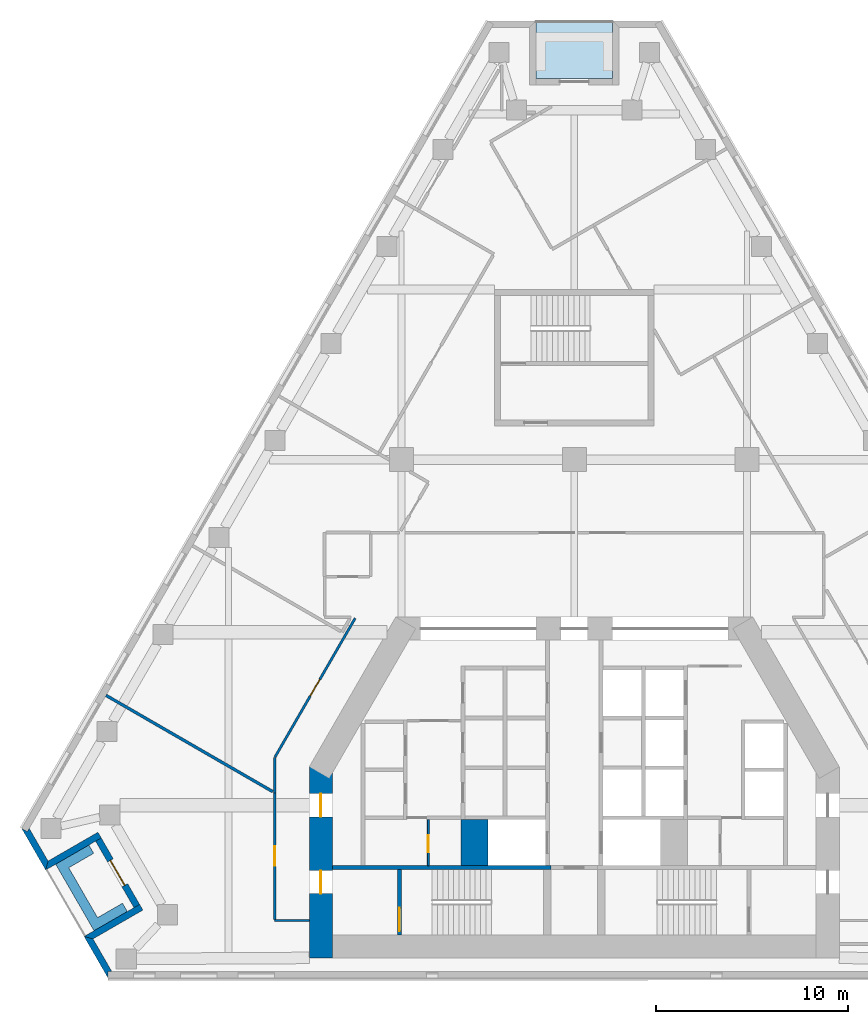
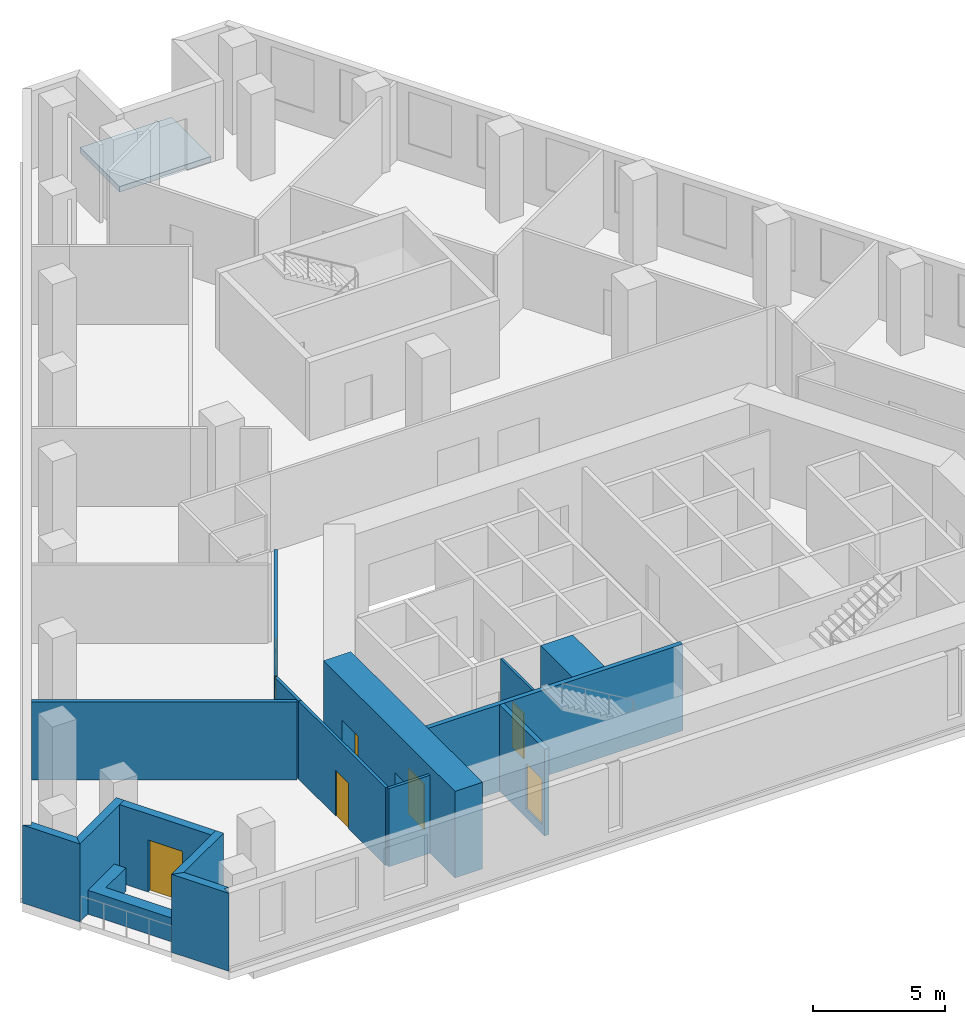
# One storey, part 2 of 8: 16 walls, 7 doors, 1 slab, 7 openings.
"""IFC4 building model written with IfcOpenShell, lengths in metres."""

from ifc_helpers import new_model, si_unit, direction, frame, frame_2d, origin, place, context, subcontext, project, spatial, polyline, rectangle, outline, extrude, material, layer, layer_set, type_object, element, fill, save


model = new_model("IFC4")

# Units and contexts
model_context = context("Model", 3, precision=1e-05, world=origin(), true_north=direction((0.0, 1.0)))
body_context = subcontext(model_context, "Body", "Model", "MODEL_VIEW")
ifc_project = project(units=[si_unit("LENGTHUNIT", "METRE"), si_unit("AREAUNIT", "SQUARE_METRE"), si_unit("VOLUMEUNIT", "CUBIC_METRE"), si_unit("PLANEANGLEUNIT", "RADIAN"), si_unit("MASSUNIT", "GRAM", prefix="KILO")], contexts=[model_context])

# Site, building, storey
site_placement = place(None, origin())
site = spatial("IfcSite", under=ifc_project, at=site_placement, CompositionType="ELEMENT")
building_placement = place(site_placement, origin())
building = spatial("IfcBuilding", under=site, at=building_placement, Name="Fogline Exchange Tower", CompositionType="ELEMENT")
storey_placement = place(building_placement, frame((0.0, 0.0, 154.89990234375)))
storey = spatial("IfcBuildingStorey", under=building, at=storey_placement, Name="L34", CompositionType="ELEMENT", Elevation=154.89990234375)

# Slab
ifc_material_1 = material(Name="Concrete C40", Category="concrete")
ifc_layer_1 = layer(ifc_material_1, 0.25)
ifc_layer_set_1 = layer_set([ifc_layer_1], Name="DK1")
slab_type = type_object("IfcSlabType", Name="DK1", PredefinedType="FLOOR", material=ifc_layer_set_1)
slab_placement = place(storey_placement, frame((0.0, 0.0, -0.25)))
element("IfcSlab", 1, at=slab_placement, inside=storey, type_object=slab_type, Name="Balcony L34 N", PredefinedType="FLOOR", context=body_context, shape_type="SweptSolid", body=[
    extrude(outline(polyline([(2.0, 49.841796875), (-2.0, 49.841796875), (-2.0, 46.841796875), (2.0, 46.841796875), (2.0, 49.841796875)])), origin(), (0.0, 0.0, 1.0), 0.25),
])

# Wall, opening, door
ifc_material_2 = material(Name="Blockwork partition", Category="masonry")
ifc_layer_2 = layer(ifc_material_2, 0.10009765625)
ifc_layer_set_2 = layer_set([ifc_layer_2], Name="CW10")
wall_type_1 = type_object("IfcWallType", Name="CW10", PredefinedType="PARTITIONING", material=ifc_layer_set_2)
wall_1_placement = place(storey_placement, frame((-7.60009765625, 5.85009765625, 0.0), z_axis=(0.0, 0.0, 1.0), x_axis=(0.0, 1.0, 0.0)))
wall_1 = element("IfcWall", 2, at=wall_1_placement, inside=storey, type_object=wall_type_1, Name="WC partition", PredefinedType="PARTITIONING", context=body_context, shape_type="SweptSolid", body=[
    extrude(rectangle(XDim=2.39990234375, YDim=0.10009765625, at=frame_2d((1.199951171875, 0.0))), origin(), (0.0, 0.0, 1.0), 3.60009765625),
])
opening_1_placement = place(wall_1_placement, frame((0.699951171875, 0.0, 0.0)))
opening_1 = element("IfcOpeningElement", 3, at=opening_1_placement, cuts=wall_1, Name="Opening T11-C013", PredefinedType="OPENING", context=body_context, shape_type="SweptSolid", body=[
    extrude(rectangle(XDim=0.89990234375, YDim=2.10009765625, at=frame_2d((0.449951171875, 1.050048828125))), frame((0.0, 0.06005859375, 0.0), z_axis=(0.0, -1.0, 0.0), x_axis=(1.0, 0.0, 0.0)), (0.0, 0.0, 1.0), 0.1201171875),
])
ifc_material_3 = material(Name="Steel and timber fire door", Category="steel")
door_type_1 = type_object("IfcDoorType", Name="D-CS1", OperationType="SINGLE_SWING_RIGHT", PredefinedType="DOOR", material=ifc_material_3)
door_1_placement = place(opening_1_placement, frame((0.89990234375, 0.0, 0.0), z_axis=(0.0, 0.0, 1.0), x_axis=(-1.0, 0.0, 0.0)))
door_1 = element("IfcDoor", 4, at=door_1_placement, inside=storey, type_object=door_type_1, Name="Door to Cleaner's Store", OperationType="SINGLE_SWING_RIGHT", OverallHeight=2.10009765625, OverallWidth=0.89990234375, PredefinedType="DOOR", context=body_context, shape_type="SweptSolid", body=[
    extrude(rectangle(XDim=0.89990234375, YDim=2.10009765625, at=frame_2d((0.449951171875, 1.050048828125))), frame((0.0, 0.02490234375, 0.0), z_axis=(0.0, -1.0, 0.0), x_axis=(1.0, 0.0, 0.0)), (0.0, 0.0, 1.0), 0.050048828125),
])
fill(opening_1, door_1)

# Walls
ifc_material_4 = material(Name="Concrete C60", Category="concrete")
ifc_layer_3 = layer(ifc_material_4, 1.39990234375)
ifc_layer_set_3 = layer_set([ifc_layer_3], Name="CW140")
wall_type_2 = type_object("IfcWallType", Name="CW140", PredefinedType="SOLIDWALL", material=ifc_layer_set_3)
wall_2_placement = place(storey_placement, frame((-5.199951171875, 5.85009765625, -0.39990234375), z_axis=(0.0, 0.0, 1.0), x_axis=(0.0, 1.0, 0.0)))
element("IfcWall", 5, at=wall_2_placement, inside=storey, type_object=wall_type_2, Name="Lift shaft block wall", PredefinedType="SOLIDWALL", context=body_context, shape_type="SweptSolid", body=[
    extrude(rectangle(XDim=2.39990234375, YDim=1.39990234375, at=frame_2d((1.199951171875, 0.0))), origin(), (0.0, 0.0, 1.0), 4.0),
])
ifc_layer_4 = layer(ifc_material_1, 0.199951171875)
ifc_layer_set_4 = layer_set([ifc_layer_4], Name="CW20R")
wall_type_3 = type_object("IfcWallType", Name="CW20R", PredefinedType="SOLIDWALL", material=ifc_layer_set_4)
wall_3_placement = place(storey_placement, frame((-12.60009765625, 5.75, -0.39990234375), z_axis=(0.0, 0.0, 1.0), x_axis=(1.0, 0.0, 0.0)))
element("IfcWall", 6, at=wall_3_placement, inside=storey, type_object=wall_type_3, Name="Stair enclosure wall", PredefinedType="SOLIDWALL", context=body_context, shape_type="SweptSolid", body=[
    extrude(rectangle(XDim=11.400146484375, YDim=0.199951171875, at=frame_2d((5.7001953125, 0.0))), origin(), (0.0, 0.0, 1.0), 4.0),
])

# Wall, opening, door
wall_4_placement = place(storey_placement, frame((-9.10009765625, 2.25, -0.39990234375), z_axis=(0.0, 0.0, 1.0), x_axis=(0.0, 1.0, 0.0)))
wall_4 = element("IfcWall", 7, at=wall_4_placement, inside=storey, type_object=wall_type_3, Name="Stair enclosure wall", PredefinedType="SOLIDWALL", context=body_context, shape_type="SweptSolid", body=[
    extrude(rectangle(XDim=3.39990234375, YDim=0.199951171875, at=frame_2d((1.699951171875, 0.0))), origin(), (0.0, 0.0, 1.0), 4.0),
])
opening_2_placement = place(wall_4_placement, frame((0.199951171875, 0.0, 0.39990234375)))
opening_2 = element("IfcOpeningElement", 8, at=opening_2_placement, cuts=wall_4, Name="Opening T11-C015", PredefinedType="OPENING", context=body_context, shape_type="SweptSolid", body=[
    extrude(rectangle(XDim=1.199951171875, YDim=2.10009765625, at=frame_2d((0.60009765625, 1.050048828125))), frame((0.0, 0.10986328125, 0.0), z_axis=(0.0, -1.0, 0.0), x_axis=(1.0, 0.0, 0.0)), (0.0, 0.0, 1.0), 0.219970703125),
])
door_type_2 = type_object("IfcDoorType", Name="D-ST1", OperationType="SINGLE_SWING_LEFT", PredefinedType="DOOR", material=ifc_material_3)
door_2_placement = place(opening_2_placement, frame((1.199951171875, 0.0, 0.0), z_axis=(0.0, 0.0, 1.0), x_axis=(-1.0, 0.0, 0.0)))
door_2 = element("IfcDoor", 9, at=door_2_placement, inside=storey, type_object=door_type_2, Name="Stair door ST1", OperationType="SINGLE_SWING_RIGHT", OverallHeight=2.10009765625, OverallWidth=1.199951171875, PredefinedType="DOOR", context=body_context, shape_type="SweptSolid", body=[
    extrude(rectangle(XDim=1.199951171875, YDim=2.10009765625, at=frame_2d((0.60009765625, 1.050048828125))), frame((0.0, 0.02490234375, 0.0), z_axis=(0.0, -1.0, 0.0), x_axis=(1.0, 0.0, 0.0)), (0.0, 0.0, 1.0), 0.050048828125),
])
fill(opening_2, door_2)

# Walls
ifc_material_5 = material(Name="Brick masonry", Category="masonry")
ifc_layer_5 = layer(ifc_material_5, 0.340087890625)
ifc_layer_set_5 = layer_set([ifc_layer_5], Name="FW1")
wall_type_4 = type_object("IfcWallType", Name="FW1", PredefinedType="SOLIDWALL", material=ifc_layer_set_5)
wall_5_placement = place(storey_placement, origin())
element("IfcWall", 10, at=wall_5_placement, inside=storey, type_object=wall_type_4, Name="Brick wall L34 SW-c1", PredefinedType="SOLIDWALL", context=body_context, shape_type="SweptSolid", body=[
    extrude(outline(polyline([(-27.526123046875, 5.6279296875), (-28.777099609375, 7.794921875), (-28.776611328125, 7.79541015625), (-28.48193359375, 7.625), (-28.383544921875, 7.79541015625), (-27.40087890625, 6.09375), (-27.52587890625, 5.6279296875), (-27.526123046875, 5.6279296875)])), origin(), (0.0, 0.0, 1.0), 3.60009765625),
])
wall_6_placement = place(storey_placement, origin())
element("IfcWall", 11, at=wall_6_placement, inside=storey, type_object=wall_type_4, Name="Brick wall L34 SW-s1", PredefinedType="SOLIDWALL", context=body_context, shape_type="SweptSolid", body=[
    extrude(outline(polyline([(-24.803466796875, 7.594482421875), (-24.6328125, 7.298828125), (-24.927734375, 7.128662109375), (-27.526611328125, 5.628173828125), (-27.52685546875, 5.62841796875), (-27.402099609375, 6.093994140625), (-24.803466796875, 7.594482421875)])), origin(), (0.0, 0.0, 1.0), 3.60009765625),
])

# Wall, opening, door
wall_7_placement = place(storey_placement, frame((-24.78076171875, 7.214111328125, 0.0), z_axis=(0.0, 0.0, 1.0), x_axis=(0.49999894854, -0.866026010844, 0.0)))
wall_7 = element("IfcWall", 12, at=wall_7_placement, inside=storey, type_object=wall_type_4, Name="Brick wall L34 SW-bk", PredefinedType="SOLIDWALL", context=body_context, shape_type="SweptSolid", body=[
    extrude(rectangle(XDim=4.0, YDim=0.340087890625, at=frame_2d((2.0, 0.0))), origin(), (0.0, 0.0, 1.0), 3.60009765625),
])
opening_3_placement = place(wall_7_placement, frame((1.25, 0.0, 0.0)))
opening_3 = element("IfcOpeningElement", 13, at=opening_3_placement, cuts=wall_7, Name="Opening T11-E021", PredefinedType="OPENING", context=body_context, shape_type="SweptSolid", body=[
    extrude(rectangle(XDim=1.5, YDim=2.39990234375, at=frame_2d((0.75, 1.199951171875))), frame((0.0, 0.18017578125, 0.0), z_axis=(0.0, -1.0, 0.0), x_axis=(1.0, 0.0, 0.0)), (0.0, 0.0, 1.0), 0.360107421875),
])
ifc_material_6 = material(Name="Aluminium and glass", Category="aluminium")
door_type_3 = type_object("IfcDoorType", Name="ED4", OperationType="SINGLE_SWING_LEFT", PredefinedType="DOOR", material=ifc_material_6)
door_3_placement = place(opening_3_placement, frame((1.5, 0.0, 0.0), z_axis=(0.0, 0.0, 1.0), x_axis=(-1.0, 0.0, 0.0)))
door_3 = element("IfcDoor", 14, at=door_3_placement, inside=storey, type_object=door_type_3, Name="Balcony door L34 SW", OperationType="DOUBLE_DOOR_SINGLE_SWING", OverallHeight=2.39990234375, OverallWidth=1.5, PredefinedType="DOOR", context=body_context, shape_type="SweptSolid", body=[
    extrude(rectangle(XDim=1.5, YDim=2.39990234375, at=frame_2d((0.75, 1.199951171875))), frame((0.0, 0.02490234375, 0.0), z_axis=(0.0, -1.0, 0.0), x_axis=(1.0, 0.0, 0.0)), (0.0, 0.0, 1.0), 0.050048828125),
])
fill(opening_3, door_3)

# Walls
wall_8_placement = place(storey_placement, origin())
element("IfcWall", 15, at=wall_8_placement, inside=storey, type_object=wall_type_4, Name="Brick wall L34 SW-s2", PredefinedType="SOLIDWALL", context=body_context, shape_type="SweptSolid", body=[
    extrude(outline(polyline([(-25.52734375, 2.1650390625), (-22.92822265625, 3.66552734375), (-22.63330078125, 3.8359375), (-22.462646484375, 3.540283203125), (-25.0615234375, 2.0400390625), (-25.52734375, 2.164794921875), (-25.52734375, 2.1650390625)])), origin(), (0.0, 0.0, 1.0), 3.60009765625),
])
wall_9_placement = place(storey_placement, origin())
element("IfcWall", 16, at=wall_9_placement, inside=storey, type_object=wall_type_4, Name="Brick wall L34 SW-c2", PredefinedType="SOLIDWALL", context=body_context, shape_type="SweptSolid", body=[
    extrude(outline(polyline([(-24.078857421875, 0.33935546875), (-24.275390625, 0.33935546875), (-24.275390625, -0.0009765625), (-24.276123046875, -0.001220703125), (-25.527099609375, 2.165771484375), (-25.52685546875, 2.166015625), (-25.061279296875, 2.041015625), (-24.078857421875, 0.33935546875)])), origin(), (0.0, 0.0, 1.0), 3.60009765625),
])
ifc_material_7 = material(Name="Concrete C30", Category="concrete")
ifc_layer_6 = layer(ifc_material_7, 0.199951171875)
ifc_layer_set_6 = layer_set([ifc_layer_6], Name="PL1")
wall_type_5 = type_object("IfcWallType", Name="PL1", PredefinedType="USERDEFINED", material=ifc_layer_set_6)
wall_10_placement = place(storey_placement, origin())
element("IfcWall", 17, at=wall_10_placement, inside=storey, type_object=wall_type_5, Name="PLANTER balcony L34 SW", ObjectType="PLANTER", PredefinedType="USERDEFINED", context=body_context, shape_type="SweptSolid", body=[
    extrude(outline(polyline([(-23.5244140625, 3.898193359375), (-24.823486328125, 3.148193359375), (-26.323486328125, 5.74609375), (-25.0244140625, 6.49609375), (-25.2744140625, 6.92919921875), (-27.006591796875, 5.92919921875), (-25.006591796875, 2.465087890625), (-24.573486328125, 2.715087890625), (-24.573486328125, 2.715087890625), (-23.2744140625, 3.465087890625), (-23.5244140625, 3.898193359375)])), origin(), (0.0, 0.0, 1.0), 1.10009765625),
])
ifc_material_8 = material(Name="Plasterboard corridor partition with mineral wool, 2 layers each side")
ifc_layer_7 = layer(ifc_material_8, 0.125)
ifc_layer_set_7 = layer_set([ifc_layer_7], Name="PW2")
wall_type_6 = type_object("IfcWallType", Name="PW2", PredefinedType="PARTITIONING", material=ifc_layer_set_7)
wall_11_placement = place(storey_placement, frame((-15.60009765625, 9.650390625, 0.0), z_axis=(0.0, 0.0, 1.0), x_axis=(0.0, 1.0, 0.0)))
element("IfcWall", 18, at=wall_11_placement, inside=storey, type_object=wall_type_6, Name="wall-L34-W015", PredefinedType="PARTITIONING", context=body_context, shape_type="SweptSolid", body=[
    extrude(rectangle(XDim=1.830810546875, YDim=0.125, at=frame_2d((0.91552734375, 0.0))), origin(), (0.0, 0.0, 1.0), 3.60009765625),
])

# Wall, opening, door
wall_12_placement = place(storey_placement, frame((-15.58447265625, 11.508056640625, 0.0), z_axis=(0.0, 0.0, 1.0), x_axis=(0.499989116703, 0.866031687168, 0.0)))
wall_12 = element("IfcWall", 19, at=wall_12_placement, inside=storey, type_object=wall_type_6, Name="wall-L34-W016", PredefinedType="PARTITIONING", context=body_context, shape_type="SweptSolid", body=[
    extrude(rectangle(XDim=8.347900390625, YDim=0.125, at=frame_2d((4.173828125, 0.0))), origin(), (0.0, 0.0, 1.0), 3.60009765625),
])
opening_4_placement = place(wall_12_placement, frame((3.673828125, 0.0, 0.0)))
opening_4 = element("IfcOpeningElement", 20, at=opening_4_placement, cuts=wall_12, Name="Opening T11-D005", PredefinedType="OPENING", context=body_context, shape_type="SweptSolid", body=[
    extrude(rectangle(XDim=1.0, YDim=2.10009765625, at=frame_2d((0.5, 1.050048828125))), frame((0.0, 0.072509765625, 0.0), z_axis=(0.0, -1.0, 0.0), x_axis=(1.0, 0.0, 0.0)), (0.0, 0.0, 1.0), 0.14501953125),
])
ifc_material_9 = material(Name="Fire-rated timber door leaf with steel frame", Category="steel")
door_type_4 = type_object("IfcDoorType", Name="D3", OperationType="SINGLE_SWING_LEFT", PredefinedType="DOOR", material=ifc_material_9)
door_4_placement = place(opening_4_placement, origin())
door_4 = element("IfcDoor", 21, at=door_4_placement, inside=storey, type_object=door_type_4, Name="door-L34-D005", OperationType="SINGLE_SWING_LEFT", OverallHeight=2.10009765625, OverallWidth=1.0, PredefinedType="DOOR", context=body_context, shape_type="SweptSolid", body=[
    extrude(rectangle(XDim=1.0, YDim=2.10009765625, at=frame_2d((0.5, 1.050048828125))), frame((0.0, 0.02490234375, 0.0), z_axis=(0.0, -1.0, 0.0), x_axis=(1.0, 0.0, 0.0)), (0.0, 0.0, 1.0), 0.050048828125),
])
fill(opening_4, door_4)

# Wall
wall_13_placement = place(storey_placement, frame((-13.800048828125, 3.0, 0.0), z_axis=(0.0, 0.0, 1.0), x_axis=(-1.0, 0.0, 0.0)))
element("IfcWall", 22, at=wall_13_placement, inside=storey, type_object=wall_type_6, Name="wall-L34-W017", PredefinedType="PARTITIONING", context=body_context, shape_type="SweptSolid", body=[
    extrude(rectangle(XDim=1.800048828125, YDim=0.125, at=frame_2d((0.89990234375, 0.0))), origin(), (0.0, 0.0, 1.0), 3.60009765625),
])

# Wall, opening, door
wall_14_placement = place(storey_placement, frame((-15.60009765625, 3.0625, 0.0), z_axis=(0.0, 0.0, 1.0), x_axis=(0.0, 1.0, 0.0)))
wall_14 = element("IfcWall", 23, at=wall_14_placement, inside=storey, type_object=wall_type_6, Name="wall-L34-W018", PredefinedType="PARTITIONING", context=body_context, shape_type="SweptSolid", body=[
    extrude(rectangle(XDim=6.587890625, YDim=0.125, at=frame_2d((3.2939453125, 0.0))), origin(), (0.0, 0.0, 1.0), 3.60009765625),
])
opening_5_placement = place(wall_14_placement, frame((2.7939453125, 0.0, 0.0)))
opening_5 = element("IfcOpeningElement", 24, at=opening_5_placement, cuts=wall_14, Name="Opening T11-D006", PredefinedType="OPENING", context=body_context, shape_type="SweptSolid", body=[
    extrude(rectangle(XDim=1.0, YDim=2.10009765625, at=frame_2d((0.5, 1.050048828125))), frame((0.0, 0.072509765625, 0.0), z_axis=(0.0, -1.0, 0.0), x_axis=(1.0, 0.0, 0.0)), (0.0, 0.0, 1.0), 0.14501953125),
])
door_5_placement = place(opening_5_placement, origin())
door_5 = element("IfcDoor", 25, at=door_5_placement, inside=storey, type_object=door_type_4, Name="door-L34-D006", OperationType="SINGLE_SWING_LEFT", OverallHeight=2.10009765625, OverallWidth=1.0, PredefinedType="DOOR", context=body_context, shape_type="SweptSolid", body=[
    extrude(rectangle(XDim=1.0, YDim=2.10009765625, at=frame_2d((0.5, 1.050048828125))), frame((0.0, 0.02490234375, 0.0), z_axis=(0.0, -1.0, 0.0), x_axis=(1.0, 0.0, 0.0)), (0.0, 0.0, 1.0), 0.050048828125),
])
fill(opening_5, door_5)

# Wall
ifc_material_10 = material(Name="Plasterboard demising partition with mineral wool and acoustic board")
ifc_layer_8 = layer(ifc_material_10, 0.14990234375)
ifc_layer_set_8 = layer_set([ifc_layer_8], Name="PW3")
wall_type_7 = type_object("IfcWallType", Name="PW3", PredefinedType="PARTITIONING", material=ifc_layer_set_8)
wall_15_placement = place(storey_placement, frame((-15.700439453125, 9.70849609375, 0.0), z_axis=(0.0, 0.0, 1.0), x_axis=(-0.866031909344, 0.499988731871, 0.0)))
element("IfcWall", 26, at=wall_15_placement, inside=storey, type_object=wall_type_7, Name="wall-L34-W049", PredefinedType="PARTITIONING", context=body_context, shape_type="SweptSolid", body=[
    extrude(rectangle(XDim=10.026611328125, YDim=0.14990234375, at=frame_2d((5.01318359375, 0.0))), origin(), (0.0, 0.0, 1.0), 3.60009765625),
])

# Wall, openings, doors
ifc_layer_9 = layer(ifc_material_4, 1.199951171875)
ifc_layer_set_9 = layer_set([ifc_layer_9], Name="SW02")
wall_type_8 = type_object("IfcWallType", Name="SW02", PredefinedType="SHEAR", material=ifc_layer_set_9)
wall_16_placement = place(storey_placement, frame((-13.199951171875, 10.9990234375, 0.0), z_axis=(0.0, 0.0, 1.0), x_axis=(0.0, -1.0, 0.0)))
wall_16 = element("IfcWall", 27, at=wall_16_placement, inside=storey, type_object=wall_type_8, Name="L34-W906", PredefinedType="SHEAR", context=body_context, shape_type="SweptSolid", body=[
    extrude(rectangle(XDim=9.948974609375, YDim=1.199951171875, at=frame_2d((4.974609375, 0.0))), origin(), (0.0, 0.0, 1.0), 4.0),
])
opening_6_placement = place(wall_16_placement, frame((5.39892578125, 0.0, 0.0)))
opening_6 = element("IfcOpeningElement", 28, at=opening_6_placement, cuts=wall_16, Name="Opening T11-C014", PredefinedType="OPENING", context=body_context, shape_type="SweptSolid", body=[
    extrude(rectangle(XDim=1.199951171875, YDim=2.10009765625, at=frame_2d((0.60009765625, 1.050048828125))), frame((0.0, 0.60986328125, 0.0), z_axis=(0.0, -1.0, 0.0), x_axis=(1.0, 0.0, 0.0)), (0.0, 0.0, 1.0), 1.219970703125),
])
opening_7_placement = place(wall_16_placement, frame((1.39892578125, 0.0, 0.0)))
opening_7 = element("IfcOpeningElement", 29, at=opening_7_placement, cuts=wall_16, Name="Opening T11-C016", PredefinedType="OPENING", context=body_context, shape_type="SweptSolid", body=[
    extrude(rectangle(XDim=1.199951171875, YDim=2.10009765625, at=frame_2d((0.60009765625, 1.050048828125))), frame((0.0, 0.60986328125, 0.0), z_axis=(0.0, -1.0, 0.0), x_axis=(1.0, 0.0, 0.0)), (0.0, 0.0, 1.0), 1.219970703125),
])
door_type_5 = type_object("IfcDoorType", Name="D-FR1", OperationType="SINGLE_SWING_RIGHT", PredefinedType="DOOR", material=ifc_material_3)
door_6_placement = place(opening_6_placement, origin())
door_6 = element("IfcDoor", 30, at=door_6_placement, inside=storey, type_object=door_type_5, Name="Front room door ST1", OperationType="SINGLE_SWING_LEFT", OverallHeight=2.10009765625, OverallWidth=1.199951171875, PredefinedType="DOOR", context=body_context, shape_type="SweptSolid", body=[
    extrude(rectangle(XDim=1.199951171875, YDim=2.10009765625, at=frame_2d((0.60009765625, 1.050048828125))), frame((0.0, 0.02490234375, 0.0), z_axis=(0.0, -1.0, 0.0), x_axis=(1.0, 0.0, 0.0)), (0.0, 0.0, 1.0), 0.050048828125),
])
fill(opening_6, door_6)
door_type_6 = type_object("IfcDoorType", Name="D-SV1", OperationType="SINGLE_SWING_LEFT", PredefinedType="DOOR", material=ifc_material_3)
door_7_placement = place(opening_7_placement, origin())
door_7 = element("IfcDoor", 31, at=door_7_placement, inside=storey, type_object=door_type_6, Name="Service door W", OperationType="SINGLE_SWING_LEFT", OverallHeight=2.10009765625, OverallWidth=1.199951171875, PredefinedType="DOOR", context=body_context, shape_type="SweptSolid", body=[
    extrude(rectangle(XDim=1.199951171875, YDim=2.10009765625, at=frame_2d((0.60009765625, 1.050048828125))), frame((0.0, 0.02490234375, 0.0), z_axis=(0.0, -1.0, 0.0), x_axis=(1.0, 0.0, 0.0)), (0.0, 0.0, 1.0), 0.050048828125),
])
fill(opening_7, door_7)

save(model, "model.ifc")
